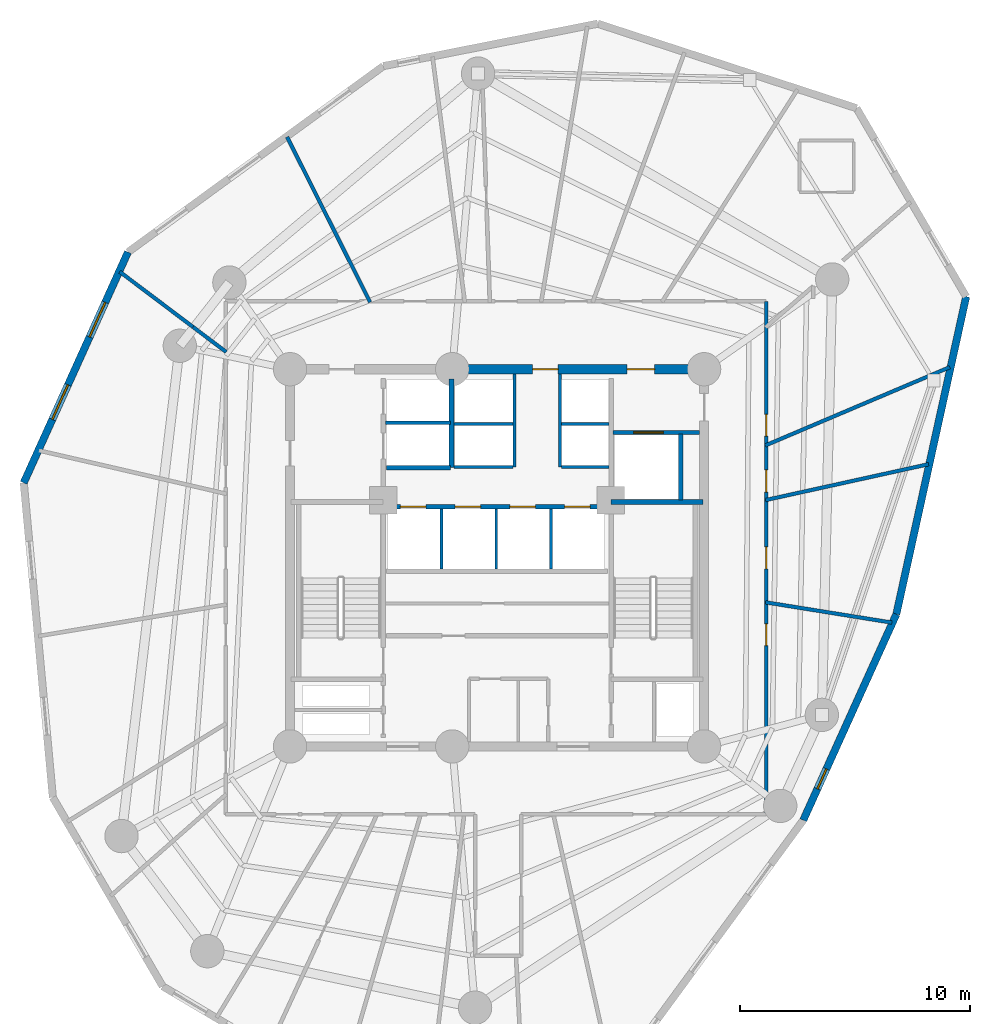
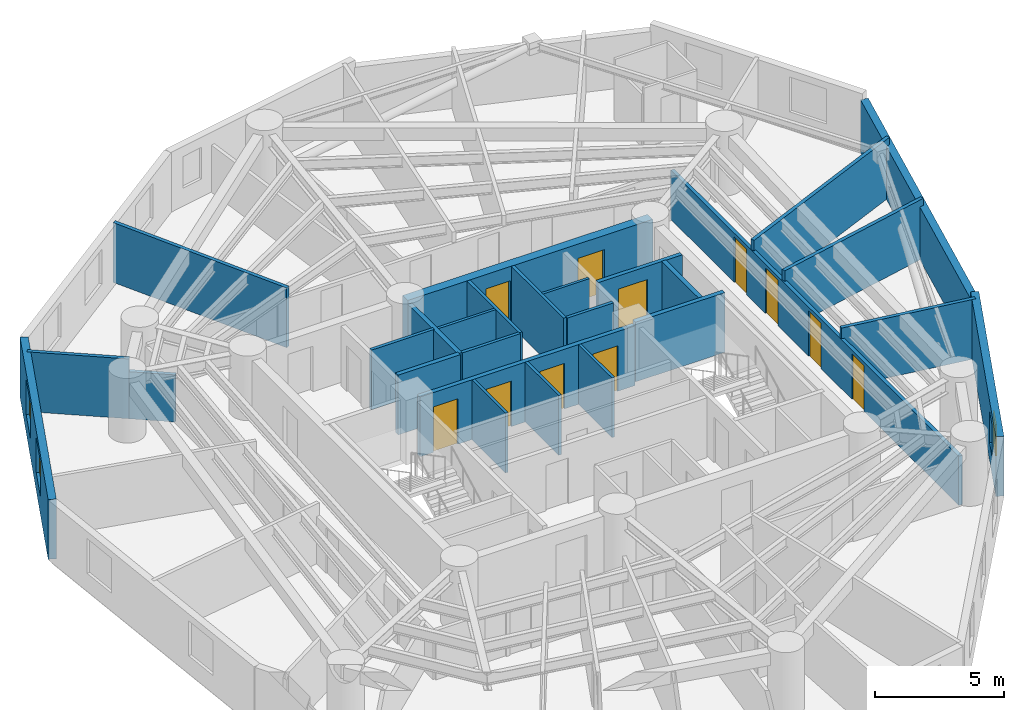
# One storey, part 5 of 8: 27 walls, 11 doors, 3 windows, 14 openings.
"""IFC4 building model written with IfcOpenShell, lengths in metres."""

from ifc_helpers import new_model, si_unit, direction, frame, frame_2d, origin, origin_with_axes, place, context, subcontext, project, spatial, rectangle, extrude, source, transform, mapped, material, layer, layer_set, type_object, element, fill, save


model = new_model("IFC4")

# Units and contexts
model_context = context("Model", 3, precision=1e-05, world=origin(), true_north=direction((0.0, 1.0)))
body_context = subcontext(model_context, "Body", "Model", "MODEL_VIEW")
ifc_project = project(units=[si_unit("LENGTHUNIT", "METRE"), si_unit("AREAUNIT", "SQUARE_METRE"), si_unit("VOLUMEUNIT", "CUBIC_METRE"), si_unit("PLANEANGLEUNIT", "RADIAN"), si_unit("MASSUNIT", "GRAM", prefix="KILO")], contexts=[model_context])

# Site, building, storey
site_placement = place(None, origin())
site = spatial("IfcSite", under=ifc_project, at=site_placement, CompositionType="ELEMENT")
building_placement = place(site_placement, origin())
building = spatial("IfcBuilding", under=site, at=building_placement, Name="Karkom Vertical University and Central Library", CompositionType="ELEMENT")
storey_placement = place(building_placement, frame((0.0, 0.0, 126.699951171875)))
storey = spatial("IfcBuildingStorey", under=building, at=storey_placement, Name="L35", CompositionType="ELEMENT", Elevation=126.699951171875)

# Wall, openings, windows
ifc_material_1 = material(Name="Brick-faced precast concrete C45/55", Category="masonry")
ifc_layer_1 = layer(ifc_material_1, 0.320068359375)
ifc_layer_set_1 = layer_set([ifc_layer_1], Name="Brick-faced precast concrete C45/55")
wall_type_1 = type_object("IfcWallType", Name="ENV-WL-BRK-320", PredefinedType="SOLIDWALL", material=ifc_layer_set_1)
wall_1_placement = place(storey_placement, frame((12.452392578125, 39.79248046875, 0.0), z_axis=(0.0, 0.0, 1.0), x_axis=(-0.411828560495, -0.911261343831, 0.0)))
wall_1 = element("IfcWall", 1, at=wall_1_placement, inside=storey, type_object=wall_type_1, Name="Level 35 Brick-Faced Precast Facade Wall 01", PredefinedType="SOLIDWALL", context=body_context, shape_type="SweptSolid", body=[
    extrude(rectangle(XDim=11.008056640625, YDim=0.320068359375, at=frame_2d((5.50390625, 0.0))), origin(), (0.0, 0.0, 1.0), 2.824951171875),
])
opening_1_placement = place(wall_1_placement, frame((2.397705078125, 0.0, 0.85009765625)))
opening_1 = element("IfcOpeningElement", 2, at=opening_1_placement, cuts=wall_1, Name="Opening WN-06", PredefinedType="OPENING", context=body_context, shape_type="SweptSolid", body=[
    extrude(rectangle(XDim=1.64990234375, YDim=1.64990234375, at=frame_2d((0.824951171875, 0.824951171875))), frame((0.0, 0.169921875, 0.0), z_axis=(0.0, -1.0, 0.0), x_axis=(1.0, 0.0, 0.0)), (0.0, 0.0, 1.0), 0.340087890625),
])
opening_2_placement = place(wall_1_placement, frame((6.333984375, 0.0, 0.85009765625)))
opening_2 = element("IfcOpeningElement", 3, at=opening_2_placement, cuts=wall_1, Name="Opening WN-06", PredefinedType="OPENING", context=body_context, shape_type="SweptSolid", body=[
    extrude(rectangle(XDim=1.64990234375, YDim=1.64990234375, at=frame_2d((0.824951171875, 0.824951171875))), frame((0.0, 0.169921875, 0.0), z_axis=(0.0, -1.0, 0.0), x_axis=(1.0, 0.0, 0.0)), (0.0, 0.0, 1.0), 0.340087890625),
])
ifc_material_2 = material(Name="Aluminium thermal-break frame with solar-control IGU", Category="aluminium")
window_type_1 = type_object("IfcWindowType", Name="ENV-WIN-WN-06", PartitioningType="SINGLE_PANEL", PredefinedType="WINDOW", material=ifc_material_2)
shared_shape_1 = source(origin_with_axes(), body_context, "Body", "SweptSolid", [
    extrude(rectangle(XDim=1.64990234375, YDim=1.64990234375, at=frame_2d((0.824951171875, 0.824951171875))), frame((0.0, 0.030029296875, 0.0), z_axis=(0.0, -1.0, 0.0), x_axis=(1.0, 0.0, 0.0)), (0.0, 0.0, 1.0), 0.06005859375),
])
window_1_placement = place(opening_1_placement, origin())
window_1 = element("IfcWindow", 4, at=window_1_placement, inside=storey, type_object=window_type_1, Name="Level 35 Punched Window 1.1", OverallHeight=1.64990234375, OverallWidth=1.64990234375, PartitioningType="SINGLE_PANEL", PredefinedType="WINDOW", context=body_context, shape_type="MappedRepresentation", body=[
    mapped(shared_shape_1, transform((0.0, 0.0, 0.0), scale=1.0)),
])
fill(opening_1, window_1)
window_2_placement = place(opening_2_placement, origin())
window_2 = element("IfcWindow", 5, at=window_2_placement, inside=storey, type_object=window_type_1, Name="Level 35 Punched Window 1.2", OverallHeight=1.64990234375, OverallWidth=1.64990234375, PartitioningType="SINGLE_PANEL", PredefinedType="WINDOW", context=body_context, shape_type="MappedRepresentation", body=[
    mapped(shared_shape_1, transform((0.0, 0.0, 0.0), scale=1.0)),
])
fill(opening_2, window_2)

# Wall, opening, window
wall_2_placement = place(storey_placement, frame((41.81103515625, 15.091552734375, 0.0), z_axis=(0.0, 0.0, 1.0), x_axis=(0.411834964469, 0.91125844964, 0.0)))
wall_2 = element("IfcWall", 6, at=wall_2_placement, inside=storey, type_object=wall_type_1, Name="Level 35 Brick-Faced Precast Facade Wall 07", PredefinedType="SOLIDWALL", context=body_context, shape_type="SweptSolid", body=[
    extrude(rectangle(XDim=9.828125, YDim=0.320068359375, at=frame_2d((4.9140625, 0.0))), origin(), (0.0, 0.0, 1.0), 2.824951171875),
])
opening_3_placement = place(wall_2_placement, frame((1.495849609375, 0.0, 0.85009765625)))
opening_3 = element("IfcOpeningElement", 7, at=opening_3_placement, cuts=wall_2, Name="Opening WN-12", PredefinedType="OPENING", context=body_context, shape_type="SweptSolid", body=[
    extrude(rectangle(XDim=0.949951171875, YDim=1.5, at=frame_2d((0.47509765625, 0.75))), frame((0.0, 0.169921875, 0.0), z_axis=(0.0, -1.0, 0.0), x_axis=(1.0, 0.0, 0.0)), (0.0, 0.0, 1.0), 0.340087890625),
])
window_type_2 = type_object("IfcWindowType", Name="ENV-WIN-WN-12", PartitioningType="SINGLE_PANEL", PredefinedType="WINDOW", material=ifc_material_2)
shared_shape_2 = source(origin_with_axes(), body_context, "Body", "SweptSolid", [
    extrude(rectangle(XDim=0.949951171875, YDim=1.5, at=frame_2d((0.47509765625, 0.75))), frame((0.0, 0.030029296875, 0.0), z_axis=(0.0, -1.0, 0.0), x_axis=(1.0, 0.0, 0.0)), (0.0, 0.0, 1.0), 0.06005859375),
])
window_3_placement = place(opening_3_placement, origin())
window_3 = element("IfcWindow", 8, at=window_3_placement, inside=storey, type_object=window_type_2, Name="Level 35 Punched Window 7.1", OverallHeight=1.5, OverallWidth=0.949951171875, PartitioningType="SINGLE_PANEL", PredefinedType="WINDOW", context=body_context, shape_type="MappedRepresentation", body=[
    mapped(shared_shape_2, transform((0.0, 0.0, 0.0), scale=1.0)),
])
fill(opening_3, window_3)

# Wall
wall_3_placement = place(storey_placement, frame((45.858642578125, 24.047607421875, 0.0), z_axis=(0.0, 0.0, 1.0), x_axis=(0.214725085406, 0.976674530075, 0.0)))
element("IfcWall", 9, at=wall_3_placement, inside=storey, type_object=wall_type_1, Name="Level 35 Brick-Faced Precast Facade Wall 08", PredefinedType="SOLIDWALL", context=body_context, shape_type="SweptSolid", body=[
    extrude(rectangle(XDim=14.1396484375, YDim=0.320068359375, at=frame_2d((7.06982421875, 0.0))), origin(), (0.0, 0.0, 1.0), 2.4951171875),
])

# Wall, openings, doors
ifc_material_3 = material(Name="Insulated metal-stud drywall 160mm", Category="gypsum")
ifc_layer_2 = layer(ifc_material_3, 0.159912109375)
ifc_layer_set_2 = layer_set([ifc_layer_2], Name="Insulated metal-stud drywall 160mm")
wall_type_2 = type_object("IfcWallType", Name="INT-WL-COR-160", PredefinedType="PARTITIONING", material=ifc_layer_set_2)
wall_4_placement = place(storey_placement, frame((40.199951171875, 37.64990234375, 0.0), z_axis=(0.0, 0.0, 1.0), x_axis=(0.0, -1.0, 0.0)))
wall_4 = element("IfcWall", 10, at=wall_4_placement, inside=storey, type_object=wall_type_2, Name="Level 35 Interior Partition Wall L35-CORW-CW-004", PredefinedType="PARTITIONING", context=body_context, shape_type="SweptSolid", body=[
    extrude(rectangle(XDim=22.2998046875, YDim=0.159912109375, at=frame_2d((11.14990234375, 0.0))), origin(), (0.0, 0.0, 1.0), 2.324951171875),
])
opening_4_placement = place(wall_4_placement, frame((14.02001953125, 0.0, 0.0)))
opening_4 = element("IfcOpeningElement", 11, at=opening_4_placement, cuts=wall_4, Name="Opening D-RM1", PredefinedType="OPENING", context=body_context, shape_type="SweptSolid", body=[
    extrude(rectangle(XDim=0.949951171875, YDim=2.14990234375, at=frame_2d((0.47509765625, 1.074951171875))), frame((0.0, 0.08984375, 0.0), z_axis=(0.0, -1.0, 0.0), x_axis=(1.0, 0.0, 0.0)), (0.0, 0.0, 1.0), 0.179931640625),
])
opening_5_placement = place(wall_4_placement, frame((10.675048828125, 0.0, 0.0)))
opening_5 = element("IfcOpeningElement", 12, at=opening_5_placement, cuts=wall_4, Name="Opening FD-RM2", PredefinedType="OPENING", context=body_context, shape_type="SweptSolid", body=[
    extrude(rectangle(XDim=0.9599609375, YDim=2.14990234375, at=frame_2d((0.47998046875, 1.074951171875))), frame((0.0, 0.08984375, 0.0), z_axis=(0.0, -1.0, 0.0), x_axis=(1.0, 0.0, 0.0)), (0.0, 0.0, 1.0), 0.179931640625),
])
opening_6_placement = place(wall_4_placement, frame((7.330078125, 0.0, 0.0)))
opening_6 = element("IfcOpeningElement", 13, at=opening_6_placement, cuts=wall_4, Name="Opening FD-RM2", PredefinedType="OPENING", context=body_context, shape_type="SweptSolid", body=[
    extrude(rectangle(XDim=0.9599609375, YDim=2.14990234375, at=frame_2d((0.47998046875, 1.074951171875))), frame((0.0, 0.08984375, 0.0), z_axis=(0.0, -1.0, 0.0), x_axis=(1.0, 0.0, 0.0)), (0.0, 0.0, 1.0), 0.179931640625),
])
opening_7_placement = place(wall_4_placement, frame((4.909912109375, 0.0, 0.0)))
opening_7 = element("IfcOpeningElement", 14, at=opening_7_placement, cuts=wall_4, Name="Opening D-RM1", PredefinedType="OPENING", context=body_context, shape_type="SweptSolid", body=[
    extrude(rectangle(XDim=0.949951171875, YDim=2.14990234375, at=frame_2d((0.47509765625, 1.074951171875))), frame((0.0, 0.08984375, 0.0), z_axis=(0.0, -1.0, 0.0), x_axis=(1.0, 0.0, 0.0)), (0.0, 0.0, 1.0), 0.179931640625),
])
ifc_material_4 = material(Name="Fire-rated oak veneer door", Category="wood")
door_type_1 = type_object("IfcDoorType", Name="INT-DR-FRM2", OperationType="NOTDEFINED", PredefinedType="DOOR", material=ifc_material_4)
shared_shape_3 = source(origin_with_axes(), body_context, "Body", "SweptSolid", [
    extrude(rectangle(XDim=0.9599609375, YDim=2.14990234375, at=frame_2d((0.47998046875, 1.074951171875))), frame((0.0, 0.02490234375, 0.0), z_axis=(0.0, -1.0, 0.0), x_axis=(1.0, 0.0, 0.0)), (0.0, 0.0, 1.0), 0.050048828125),
])
door_1_placement = place(opening_5_placement, origin())
door_1 = element("IfcDoor", 15, at=door_1_placement, inside=storey, type_object=door_type_1, Name="Level 35 Room Entry Door 100", OperationType="SINGLE_SWING_RIGHT", OverallHeight=2.14990234375, OverallWidth=0.9599609375, PredefinedType="DOOR", context=body_context, shape_type="MappedRepresentation", body=[
    mapped(shared_shape_3, transform((0.0, 0.0, 0.0), scale=1.0)),
])
fill(opening_5, door_1)
door_2_placement = place(opening_6_placement, origin())
door_2 = element("IfcDoor", 16, at=door_2_placement, inside=storey, type_object=door_type_1, Name="Level 35 Room Entry Door 110", OperationType="SINGLE_SWING_LEFT", OverallHeight=2.14990234375, OverallWidth=0.9599609375, PredefinedType="DOOR", context=body_context, shape_type="MappedRepresentation", body=[
    mapped(shared_shape_3, transform((0.0, 0.0, 0.0), scale=1.0)),
])
fill(opening_6, door_2)
ifc_material_5 = material(Name="Solid-core oak veneer door", Category="wood")
door_type_2 = type_object("IfcDoorType", Name="INT-DR-RM1", OperationType="NOTDEFINED", PredefinedType="DOOR", material=ifc_material_5)
shared_shape_4 = source(origin_with_axes(), body_context, "Body", "SweptSolid", [
    extrude(rectangle(XDim=0.949951171875, YDim=2.14990234375, at=frame_2d((0.47509765625, 1.074951171875))), frame((0.0, 0.02490234375, 0.0), z_axis=(0.0, -1.0, 0.0), x_axis=(1.0, 0.0, 0.0)), (0.0, 0.0, 1.0), 0.050048828125),
])
door_3_placement = place(opening_4_placement, origin())
door_3 = element("IfcDoor", 17, at=door_3_placement, inside=storey, type_object=door_type_2, Name="Level 35 Room Entry Door 090", OperationType="SINGLE_SWING_LEFT", OverallHeight=2.14990234375, OverallWidth=0.949951171875, PredefinedType="DOOR", context=body_context, shape_type="MappedRepresentation", body=[
    mapped(shared_shape_4, transform((0.0, 0.0, 0.0), scale=1.0)),
])
fill(opening_4, door_3)
door_4_placement = place(opening_7_placement, origin())
door_4 = element("IfcDoor", 18, at=door_4_placement, inside=storey, type_object=door_type_2, Name="Level 35 Room Entry Door 120", OperationType="SINGLE_SWING_RIGHT", OverallHeight=2.14990234375, OverallWidth=0.949951171875, PredefinedType="DOOR", context=body_context, shape_type="MappedRepresentation", body=[
    mapped(shared_shape_4, transform((0.0, 0.0, 0.0), scale=1.0)),
])
fill(opening_7, door_4)

# Walls
wall_5_placement = place(storey_placement, frame((40.15869140625, 31.383544921875, 0.0), z_axis=(0.0, 0.0, 1.0), x_axis=(0.920498454798, 0.390746202431, 0.0)))
element("IfcWall", 19, at=wall_5_placement, inside=storey, type_object=wall_type_2, Name="Level 35 Interior Partition Wall L35-PW-012", PredefinedType="PARTITIONING", context=body_context, shape_type="SweptSolid", body=[
    extrude(rectangle(XDim=8.716552734375, YDim=0.159912109375, at=frame_2d((4.3583984375, 0.0))), origin(), (0.0, 0.0, 1.0), 2.824951171875),
])
wall_6_placement = place(storey_placement, frame((22.983154296875, 37.60986328125, 0.0), z_axis=(0.0, 0.0, 1.0), x_axis=(-0.449081390135, 0.893490853358, 0.0)))
element("IfcWall", 20, at=wall_6_placement, inside=storey, type_object=wall_type_2, Name="Level 35 Interior Partition Wall L35-PW-022", PredefinedType="PARTITIONING", context=body_context, shape_type="SweptSolid", body=[
    extrude(rectangle(XDim=8.047607421875, YDim=0.159912109375, at=frame_2d((4.02392578125, 0.0))), origin(), (0.0, 0.0, 1.0), 2.824951171875),
])
wall_7_placement = place(storey_placement, frame((40.170654296875, 29.00927734375, 0.0), z_axis=(0.0, 0.0, 1.0), x_axis=(0.976596741238, 0.21507860192, 0.0)))
element("IfcWall", 21, at=wall_7_placement, inside=storey, type_object=wall_type_2, Name="Level 35 Interior Partition Wall L35-PW-011", PredefinedType="PARTITIONING", context=body_context, shape_type="SweptSolid", body=[
    extrude(rectangle(XDim=7.26025390625, YDim=0.159912109375, at=frame_2d((3.630126953125, 0.0))), origin(), (0.0, 0.0, 1.0), 2.824951171875),
])
wall_8_placement = place(storey_placement, frame((40.17041015625, 24.56591796875, 0.0), z_axis=(0.0, 0.0, 1.0), x_axis=(0.987354786983, -0.158526100759, 0.0)))
element("IfcWall", 22, at=wall_8_placement, inside=storey, type_object=wall_type_2, Name="Level 35 Interior Partition Wall L35-PW-010", PredefinedType="PARTITIONING", context=body_context, shape_type="SweptSolid", body=[
    extrude(rectangle(XDim=5.564208984375, YDim=0.159912109375, at=frame_2d((2.7822265625, 0.0))), origin(), (0.0, 0.0, 1.0), 2.824951171875),
])
wall_9_placement = place(storey_placement, frame((15.27734375, 36.5390625, 0.0), z_axis=(0.0, 0.0, 1.0), x_axis=(-0.798652502598, 0.601792472613, 0.0)))
element("IfcWall", 23, at=wall_9_placement, inside=storey, type_object=wall_type_2, Name="Level 35 Interior Partition Wall L35-PW-024", PredefinedType="PARTITIONING", context=body_context, shape_type="SweptSolid", body=[
    extrude(rectangle(XDim=3.984619140625, YDim=0.159912109375, at=frame_2d((1.9921875, 0.0))), origin(), (0.0, 0.0, 1.0), 2.824951171875),
])
wall_10_placement = place(storey_placement, frame((16.72412109375, 35.448974609375, 0.0), z_axis=(0.0, 0.0, 1.0), x_axis=(-0.798733223163, 0.601685331561, 0.0)))
element("IfcWall", 24, at=wall_10_placement, inside=storey, type_object=wall_type_2, Name="Level 35 Interior Partition Wall L35-PW-023", PredefinedType="PARTITIONING", context=body_context, shape_type="SweptSolid", body=[
    extrude(rectangle(XDim=1.806396484375, YDim=0.159912109375, at=frame_2d((0.9033203125, 0.0))), origin(), (0.0, 0.0, 1.0), 2.22509765625),
])
ifc_material_6 = material(Name="Moisture-resistant drywall 120mm", Category="gypsum")
ifc_layer_3 = layer(ifc_material_6, 0.1201171875)
ifc_layer_set_3 = layer_set([ifc_layer_3], Name="Moisture-resistant drywall 120mm")
wall_type_3 = type_object("IfcWallType", Name="INT-WL-INT-120H", PredefinedType="PARTITIONING", material=ifc_layer_set_3)
for number, where, z_axis, x_axis, name in (
    (25, (26.080078125, 26.02001953125, 0.0), (0.0, 0.0, 1.0), (0.0, 1.0, 0.0), "Level 35 Interior Partition Wall L35-CW-PM-DIV1"),
    (26, (28.4599609375, 26.02001953125, 0.0), (0.0, 0.0, 1.0), (0.0, 1.0, 0.0), "Level 35 Interior Partition Wall L35-CW-PM-DIV2"),
    (27, (30.840087890625, 26.02001953125, 0.0), (0.0, 0.0, 1.0), (0.0, 1.0, 0.0), "Level 35 Interior Partition Wall L35-CW-PM-DIV3"),
):
    element("IfcWall", number, at=place(storey_placement, frame(where, z_axis=z_axis, x_axis=x_axis)), inside=storey, type_object=wall_type_3, Name=name, PredefinedType="PARTITIONING", context=body_context, shape_type="SweptSolid", body=[
        extrude(rectangle(XDim=2.60009765625, YDim=0.1201171875, at=frame_2d((1.300048828125, 0.0))), origin(), (0.0, 0.0, 1.0), 2.824951171875),
    ])
wall_11_placement = place(storey_placement, frame((26.6201171875, 32.320068359375, 0.0), z_axis=(0.0, 0.0, 1.0), x_axis=(1.0, 0.0, 0.0)))
element("IfcWall", 28, at=wall_11_placement, inside=storey, type_object=wall_type_3, Name="Level 35 Interior Partition Wall L35-CW-PH-MW", PredefinedType="PARTITIONING", context=body_context, shape_type="SweptSolid", body=[
    extrude(rectangle(XDim=2.579833984375, YDim=0.1201171875, at=frame_2d((1.2900390625, 0.0))), origin(), (0.0, 0.0, 1.0), 2.824951171875),
])
wall_12_placement = place(storey_placement, frame((31.300048828125, 32.320068359375, 0.0), z_axis=(0.0, 0.0, 1.0), x_axis=(1.0, 0.0, 0.0)))
element("IfcWall", 29, at=wall_12_placement, inside=storey, type_object=wall_type_3, Name="Level 35 Interior Partition Wall L35-CW-PH-ME", PredefinedType="PARTITIONING", context=body_context, shape_type="SweptSolid", body=[
    extrude(rectangle(XDim=2.074951171875, YDim=0.1201171875, at=frame_2d((1.03759765625, 0.0))), origin(), (0.0, 0.0, 1.0), 2.824951171875),
])
ifc_material_7 = material(Name="Metal-stud gypsum partition 140mm", Category="gypsum")
ifc_layer_4 = layer(ifc_material_7, 0.139892578125)
ifc_layer_set_4 = layer_set([ifc_layer_4], Name="Metal-stud gypsum partition 140mm")
wall_type_4 = type_object("IfcWallType", Name="INT-WL-SUB-140H", PredefinedType="PARTITIONING", material=ifc_layer_set_4)
for number, where, z_axis, x_axis, name in (
    (30, (29.260009765625, 30.449951171875, 0.0), (0.0, 0.0, 1.0), (0.0, 1.0, 0.0), "Level 35 Interior Partition Wall L35-CW-PH-W"),
    (31, (31.239990234375, 30.449951171875, 0.0), (0.0, 0.0, 1.0), (0.0, 1.0, 0.0), "Level 35 Interior Partition Wall L35-CW-PH-E"),
):
    element("IfcWall", number, at=place(storey_placement, frame(where, z_axis=z_axis, x_axis=x_axis)), inside=storey, type_object=wall_type_4, Name=name, PredefinedType="PARTITIONING", context=body_context, shape_type="SweptSolid", body=[
        extrude(rectangle(XDim=4.04296875, YDim=0.139892578125, at=frame_2d((2.021484375, 0.0))), origin(), (0.0, 0.0, 1.0), 2.824951171875),
    ])
wall_13_placement = place(storey_placement, frame((26.6201171875, 30.449951171875, 0.0), z_axis=(0.0, 0.0, 1.0), x_axis=(1.0, 0.0, 0.0)))
element("IfcWall", 32, at=wall_13_placement, inside=storey, type_object=wall_type_4, Name="Level 35 Interior Partition Wall L35-CW-PH-S1", PredefinedType="PARTITIONING", context=body_context, shape_type="SweptSolid", body=[
    extrude(rectangle(XDim=2.579833984375, YDim=0.139892578125, at=frame_2d((1.2900390625, 0.0))), origin(), (0.0, 0.0, 1.0), 2.824951171875),
])
wall_14_placement = place(storey_placement, frame((31.300048828125, 30.449951171875, 0.0), z_axis=(0.0, 0.0, 1.0), x_axis=(1.0, 0.0, 0.0)))
element("IfcWall", 33, at=wall_14_placement, inside=storey, type_object=wall_type_4, Name="Level 35 Interior Partition Wall L35-CW-PH-S2", PredefinedType="PARTITIONING", context=body_context, shape_type="SweptSolid", body=[
    extrude(rectangle(XDim=2.074951171875, YDim=0.139892578125, at=frame_2d((1.03759765625, 0.0))), origin(), (0.0, 0.0, 1.0), 2.824951171875),
])
ifc_layer_5 = layer(ifc_material_7, 0.139892578125)
ifc_layer_set_5 = layer_set([ifc_layer_5], Name="Metal-stud gypsum partition 140mm")
wall_type_5 = type_object("IfcWallType", Name="INT-WL-SUB-140X", PredefinedType="PARTITIONING", material=ifc_layer_set_5)
wall_15_placement = place(storey_placement, frame((23.652099609375, 32.3701171875, 0.0), z_axis=(0.0, 0.0, 1.0), x_axis=(1.0, 0.0, 0.0)))
element("IfcWall", 34, at=wall_15_placement, inside=storey, type_object=wall_type_5, Name="Level 35 Interior Partition Wall L35-CW-FFL-M", PredefinedType="PARTITIONING", context=body_context, shape_type="SweptSolid", body=[
    extrude(rectangle(XDim=2.827880859375, YDim=0.139892578125, at=frame_2d((1.4140625, 0.0))), origin(), (0.0, 0.0, 1.0), 2.824951171875),
])

# Wall, opening, door
ifc_material_8 = material(Name="Twin-stud acoustic drywall 180mm", Category="gypsum")
ifc_layer_6 = layer(ifc_material_8, 0.179931640625)
ifc_layer_set_6 = layer_set([ifc_layer_6], Name="Twin-stud acoustic drywall 180mm")
wall_type_6 = type_object("IfcWallType", Name="INT-WL-TEN-180F", PredefinedType="PARTITIONING", material=ifc_layer_set_6)
wall_16_placement = place(storey_placement, frame((33.534912109375, 31.949951171875, 0.0), z_axis=(0.0, 0.0, 1.0), x_axis=(1.0, 0.0, 0.0)))
wall_16 = element("IfcWall", 35, at=wall_16_placement, inside=storey, type_object=wall_type_6, Name="Level 35 Interior Partition Wall L35-CW-SVL-N", PredefinedType="PARTITIONING", context=body_context, shape_type="SweptSolid", body=[
    extrude(rectangle(XDim=3.7587890625, YDim=0.179931640625, at=frame_2d((1.87939453125, 0.0))), origin(), (0.0, 0.0, 1.0), 2.824951171875),
])
opening_8_placement = place(wall_16_placement, frame((0.89990234375, 0.0, 0.0)))
opening_8 = element("IfcOpeningElement", 36, at=opening_8_placement, cuts=wall_16, Name="Opening LD-SV1", PredefinedType="OPENING", context=body_context, shape_type="SweptSolid", body=[
    extrude(rectangle(XDim=1.300048828125, YDim=2.199951171875, at=frame_2d((0.64990234375, 1.10009765625))), frame((0.0, 0.10009765625, 0.0), z_axis=(0.0, -1.0, 0.0), x_axis=(1.0, 0.0, 0.0)), (0.0, 0.0, 1.0), 0.199951171875),
])
ifc_material_9 = material(Name="Brushed stainless-steel landing door", Category="steel")
door_type_3 = type_object("IfcDoorType", Name="INT-DR-LD-SV1", OperationType="SLIDING_TO_LEFT", PredefinedType="DOOR", material=ifc_material_9)
shared_shape_5 = source(origin_with_axes(), body_context, "Body", "SweptSolid", [
    extrude(rectangle(XDim=1.300048828125, YDim=2.199951171875, at=frame_2d((0.64990234375, 1.10009765625))), frame((0.0, 0.02490234375, 0.0), z_axis=(0.0, -1.0, 0.0), x_axis=(1.0, 0.0, 0.0)), (0.0, 0.0, 1.0), 0.050048828125),
])
door_5_placement = place(opening_8_placement, origin())
door_5 = element("IfcDoor", 37, at=door_5_placement, inside=storey, type_object=door_type_3, Name="Level 35 Service Lift Landing Door LD-SV1", OperationType="SLIDING_TO_LEFT", OverallHeight=2.199951171875, OverallWidth=1.300048828125, PredefinedType="DOOR", context=body_context, shape_type="MappedRepresentation", body=[
    mapped(shared_shape_5, transform((0.0, 0.0, 0.0), scale=1.0)),
])
fill(opening_8, door_5)

# Wall, openings, doors
ifc_material_10 = material(Name="Concrete C50/60", Category="concrete")
ifc_layer_7 = layer(ifc_material_10, 0.39990234375)
ifc_layer_set_7 = layer_set([ifc_layer_7], Name="Concrete C50/60")
wall_type_7 = type_object("IfcWallType", Name="STR-WL-CW-400", PredefinedType="SHEAR", material=ifc_layer_set_7)
wall_17_placement = place(storey_placement, frame((37.5, 34.699951171875, 0.0), z_axis=(0.0, 0.0, 1.0), x_axis=(-1.0, 0.0, 0.0)))
wall_17 = element("IfcWall", 38, at=wall_17_placement, inside=storey, type_object=wall_type_7, Name="Level 35 Central Core Shear Wall NW1", PredefinedType="SHEAR", context=body_context, shape_type="SweptSolid", body=[
    extrude(rectangle(XDim=10.949951171875, YDim=0.39990234375, at=frame_2d((5.47509765625, 0.0))), origin(), (0.0, 0.0, 1.0), 2.824951171875),
])
opening_9_placement = place(wall_17_placement, frame((2.14990234375, 0.0, 0.0)))
opening_9 = element("IfcOpeningElement", 39, at=opening_9_placement, cuts=wall_17, Name="Opening FD-SUB1", PredefinedType="OPENING", context=body_context, shape_type="SweptSolid", body=[
    extrude(rectangle(XDim=1.199951171875, YDim=2.14990234375, at=frame_2d((0.60009765625, 1.074951171875))), frame((0.0, 0.2099609375, 0.0), z_axis=(0.0, -1.0, 0.0), x_axis=(1.0, 0.0, 0.0)), (0.0, 0.0, 1.0), 0.419921875),
])
opening_10_placement = place(wall_17_placement, frame((6.35009765625, 0.0, 0.0)))
opening_10 = element("IfcOpeningElement", 40, at=opening_10_placement, cuts=wall_17, Name="Opening FD-FFL", PredefinedType="OPENING", context=body_context, shape_type="SweptSolid", body=[
    extrude(rectangle(XDim=1.10009765625, YDim=2.14990234375, at=frame_2d((0.550048828125, 1.074951171875))), frame((0.0, 0.2099609375, 0.0), z_axis=(0.0, -1.0, 0.0), x_axis=(1.0, 0.0, 0.0)), (0.0, 0.0, 1.0), 0.419921875),
])
ifc_material_11 = material(Name="Painted steel smoke-seal fire door", Category="steel")
door_type_4 = type_object("IfcDoorType", Name="INT-DR-FFL", OperationType="NOTDEFINED", PredefinedType="DOOR", material=ifc_material_11)
shared_shape_6 = source(origin_with_axes(), body_context, "Body", "SweptSolid", [
    extrude(rectangle(XDim=1.10009765625, YDim=2.14990234375, at=frame_2d((0.550048828125, 1.074951171875))), frame((0.0, 0.02490234375, 0.0), z_axis=(0.0, -1.0, 0.0), x_axis=(1.0, 0.0, 0.0)), (0.0, 0.0, 1.0), 0.050048828125),
])
door_6_placement = place(opening_10_placement, origin())
door_6 = element("IfcDoor", 41, at=door_6_placement, inside=storey, type_object=door_type_4, Name="Level 35 North Core Lobby Exit Door", OperationType="SINGLE_SWING_RIGHT", OverallHeight=2.14990234375, OverallWidth=1.10009765625, PredefinedType="DOOR", context=body_context, shape_type="MappedRepresentation", body=[
    mapped(shared_shape_6, transform((0.0, 0.0, 0.0), scale=1.0)),
])
fill(opening_10, door_6)
ifc_material_12 = material(Name="Painted steel fire door", Category="steel")
door_type_5 = type_object("IfcDoorType", Name="INT-DR-SUB1", OperationType="NOTDEFINED", PredefinedType="DOOR", material=ifc_material_12)
shared_shape_7 = source(origin_with_axes(), body_context, "Body", "SweptSolid", [
    extrude(rectangle(XDim=1.199951171875, YDim=2.14990234375, at=frame_2d((0.60009765625, 1.074951171875))), frame((0.0, 0.02490234375, 0.0), z_axis=(0.0, -1.0, 0.0), x_axis=(1.0, 0.0, 0.0)), (0.0, 0.0, 1.0), 0.050048828125),
])
door_7_placement = place(opening_9_placement, origin())
door_7 = element("IfcDoor", 42, at=door_7_placement, inside=storey, type_object=door_type_5, Name="Level 35 Service Lobby Fire Door", OperationType="SINGLE_SWING_RIGHT", OverallHeight=2.14990234375, OverallWidth=1.199951171875, PredefinedType="DOOR", context=body_context, shape_type="MappedRepresentation", body=[
    mapped(shared_shape_7, transform((0.0, 0.0, 0.0), scale=1.0)),
])
fill(opening_9, door_7)

ifc_material_13 = material(Name="Concrete C45/55", Category="concrete")
ifc_layer_8 = layer(ifc_material_13, 0.199951171875)
ifc_layer_set_8 = layer_set([ifc_layer_8], Name="Concrete C45/55")
wall_type_8 = type_object("IfcWallType", Name="STR-WL-ST-200", PredefinedType="SHEAR", material=ifc_layer_set_8)
wall_18_placement = place(storey_placement, frame((23.699951171875, 28.719970703125, 0.0), z_axis=(0.0, 0.0, 1.0), x_axis=(1.0, 0.0, 0.0)))
wall_18 = element("IfcWall", 43, at=wall_18_placement, inside=storey, type_object=wall_type_8, Name="Level 35 Core Shaft Wall L35-CW-B2-N", PredefinedType="SHEAR", context=body_context, shape_type="SweptSolid", body=[
    extrude(rectangle(XDim=9.60009765625, YDim=0.199951171875, at=frame_2d((4.800048828125, 0.0))), origin(), (0.0, 0.0, 1.0), 2.824951171875),
])
opening_11_placement = place(wall_18_placement, frame((0.60009765625, 0.0, 0.0)))
opening_11 = element("IfcOpeningElement", 44, at=opening_11_placement, cuts=wall_18, Name="Opening LD-PAX", PredefinedType="OPENING", context=body_context, shape_type="SweptSolid", body=[
    extrude(rectangle(XDim=1.10009765625, YDim=2.14990234375, at=frame_2d((0.550048828125, 1.074951171875))), frame((0.0, 0.10986328125, 0.0), z_axis=(0.0, -1.0, 0.0), x_axis=(1.0, 0.0, 0.0)), (0.0, 0.0, 1.0), 0.219970703125),
])
opening_12_placement = place(wall_18_placement, frame((2.97998046875, 0.0, 0.0)))
opening_12 = element("IfcOpeningElement", 45, at=opening_12_placement, cuts=wall_18, Name="Opening LD-PAX", PredefinedType="OPENING", context=body_context, shape_type="SweptSolid", body=[
    extrude(rectangle(XDim=1.10009765625, YDim=2.14990234375, at=frame_2d((0.550048828125, 1.074951171875))), frame((0.0, 0.10986328125, 0.0), z_axis=(0.0, -1.0, 0.0), x_axis=(1.0, 0.0, 0.0)), (0.0, 0.0, 1.0), 0.219970703125),
])
opening_13_placement = place(wall_18_placement, frame((5.360107421875, 0.0, 0.0)))
opening_13 = element("IfcOpeningElement", 46, at=opening_13_placement, cuts=wall_18, Name="Opening LD-PAX", PredefinedType="OPENING", context=body_context, shape_type="SweptSolid", body=[
    extrude(rectangle(XDim=1.10009765625, YDim=2.14990234375, at=frame_2d((0.550048828125, 1.074951171875))), frame((0.0, 0.10986328125, 0.0), z_axis=(0.0, -1.0, 0.0), x_axis=(1.0, 0.0, 0.0)), (0.0, 0.0, 1.0), 0.219970703125),
])
opening_14_placement = place(wall_18_placement, frame((7.739990234375, 0.0, 0.0)))
opening_14 = element("IfcOpeningElement", 47, at=opening_14_placement, cuts=wall_18, Name="Opening LD-PAX", PredefinedType="OPENING", context=body_context, shape_type="SweptSolid", body=[
    extrude(rectangle(XDim=1.10009765625, YDim=2.14990234375, at=frame_2d((0.550048828125, 1.074951171875))), frame((0.0, 0.10986328125, 0.0), z_axis=(0.0, -1.0, 0.0), x_axis=(1.0, 0.0, 0.0)), (0.0, 0.0, 1.0), 0.219970703125),
])
door_type_6 = type_object("IfcDoorType", Name="INT-DR-LD-PAX", OperationType="SLIDING_TO_LEFT", PredefinedType="DOOR", material=ifc_material_9)
door_8_placement = place(opening_11_placement, origin())
door_8 = element("IfcDoor", 48, at=door_8_placement, inside=storey, type_object=door_type_6, Name="Level 35 Lift PM-1 Landing Door", OperationType="SLIDING_TO_LEFT", OverallHeight=2.14990234375, OverallWidth=1.10009765625, PredefinedType="DOOR", context=body_context, shape_type="MappedRepresentation", body=[
    mapped(shared_shape_6, transform((0.0, 0.0, 0.0), scale=1.0)),
])
fill(opening_11, door_8)
door_9_placement = place(opening_12_placement, origin())
door_9 = element("IfcDoor", 49, at=door_9_placement, inside=storey, type_object=door_type_6, Name="Level 35 Lift PM-2 Landing Door", OperationType="SLIDING_TO_RIGHT", OverallHeight=2.14990234375, OverallWidth=1.10009765625, PredefinedType="DOOR", context=body_context, shape_type="MappedRepresentation", body=[
    mapped(shared_shape_6, transform((0.0, 0.0, 0.0), scale=1.0)),
])
fill(opening_12, door_9)
door_10_placement = place(opening_13_placement, origin())
door_10 = element("IfcDoor", 50, at=door_10_placement, inside=storey, type_object=door_type_6, Name="Level 35 Lift PM-3 Landing Door", OperationType="SLIDING_TO_LEFT", OverallHeight=2.14990234375, OverallWidth=1.10009765625, PredefinedType="DOOR", context=body_context, shape_type="MappedRepresentation", body=[
    mapped(shared_shape_6, transform((0.0, 0.0, 0.0), scale=1.0)),
])
fill(opening_13, door_10)
door_11_placement = place(opening_14_placement, origin())
door_11 = element("IfcDoor", 51, at=door_11_placement, inside=storey, type_object=door_type_6, Name="Level 35 Lift PM-4 Landing Door", OperationType="SLIDING_TO_RIGHT", OverallHeight=2.14990234375, OverallWidth=1.10009765625, PredefinedType="DOOR", context=body_context, shape_type="MappedRepresentation", body=[
    mapped(shared_shape_6, transform((0.0, 0.0, 0.0), scale=1.0)),
])
fill(opening_14, door_11)

# Walls
wall_19_placement = place(storey_placement, frame((33.455078125, 28.925048828125, 0.0), z_axis=(0.0, 0.0, 1.0), x_axis=(1.0, 0.0, 0.0)))
element("IfcWall", 52, at=wall_19_placement, inside=storey, type_object=wall_type_8, Name="Level 35 Core Shaft Wall L35-CW-ST2-N", PredefinedType="SHEAR", context=body_context, shape_type="SweptSolid", body=[
    extrude(rectangle(XDim=3.994873046875, YDim=0.199951171875, at=frame_2d((1.99755859375, 0.0))), origin(), (0.0, 0.0, 1.0), 2.824951171875),
])
wall_20_placement = place(storey_placement, frame((26.52001953125, 30.419921875, 0.0), z_axis=(0.0, 0.0, 1.0), x_axis=(0.0, 1.0, 0.0)))
element("IfcWall", 53, at=wall_20_placement, inside=storey, type_object=wall_type_8, Name="Level 35 Core Shaft Wall L35-CW-FFL-E", PredefinedType="SHEAR", context=body_context, shape_type="SweptSolid", body=[
    extrude(rectangle(XDim=3.860107421875, YDim=0.199951171875, at=frame_2d((1.93017578125, 0.0))), origin(), (0.0, 0.0, 1.0), 2.824951171875),
])
wall_21_placement = place(storey_placement, frame((36.47998046875, 29.02001953125, 0.0), z_axis=(0.0, 0.0, 1.0), x_axis=(0.0, 1.0, 0.0)))
element("IfcWall", 54, at=wall_21_placement, inside=storey, type_object=wall_type_8, Name="Level 35 Core Shaft Wall L35-CW-SVL-E", PredefinedType="SHEAR", context=body_context, shape_type="SweptSolid", body=[
    extrude(rectangle(XDim=2.85986328125, YDim=0.199951171875, at=frame_2d((1.429931640625, 0.0))), origin(), (0.0, 0.0, 1.0), 2.824951171875),
])
wall_22_placement = place(storey_placement, frame((23.699951171875, 30.419921875, 0.0), z_axis=(0.0, 0.0, 1.0), x_axis=(1.0, 0.0, 0.0)))
element("IfcWall", 55, at=wall_22_placement, inside=storey, type_object=wall_type_8, Name="Level 35 Core Shaft Wall L35-CW-FFL-S", PredefinedType="SHEAR", context=body_context, shape_type="SweptSolid", body=[
    extrude(rectangle(XDim=2.780029296875, YDim=0.199951171875, at=frame_2d((1.39013671875, 0.0))), origin(), (0.0, 0.0, 1.0), 2.824951171875),
])

save(model, "model.ifc")
